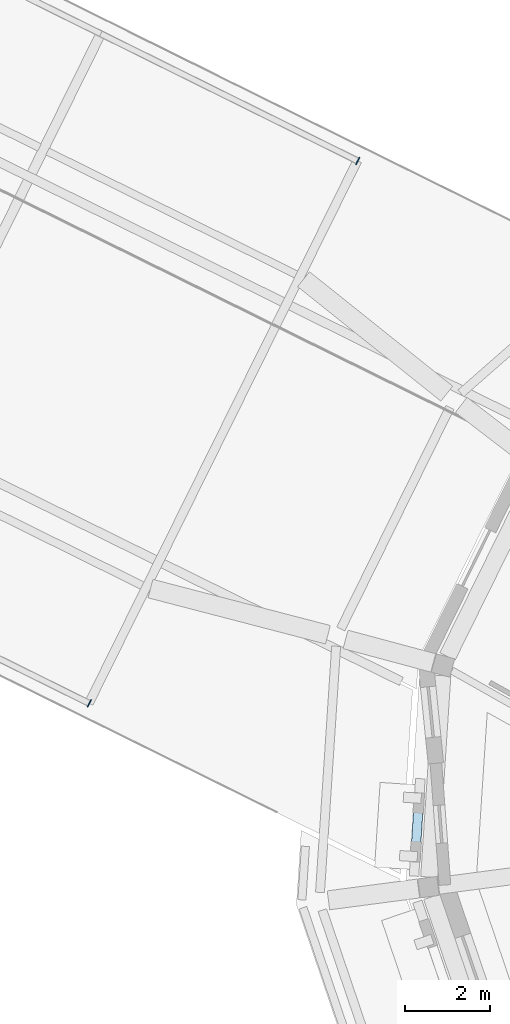
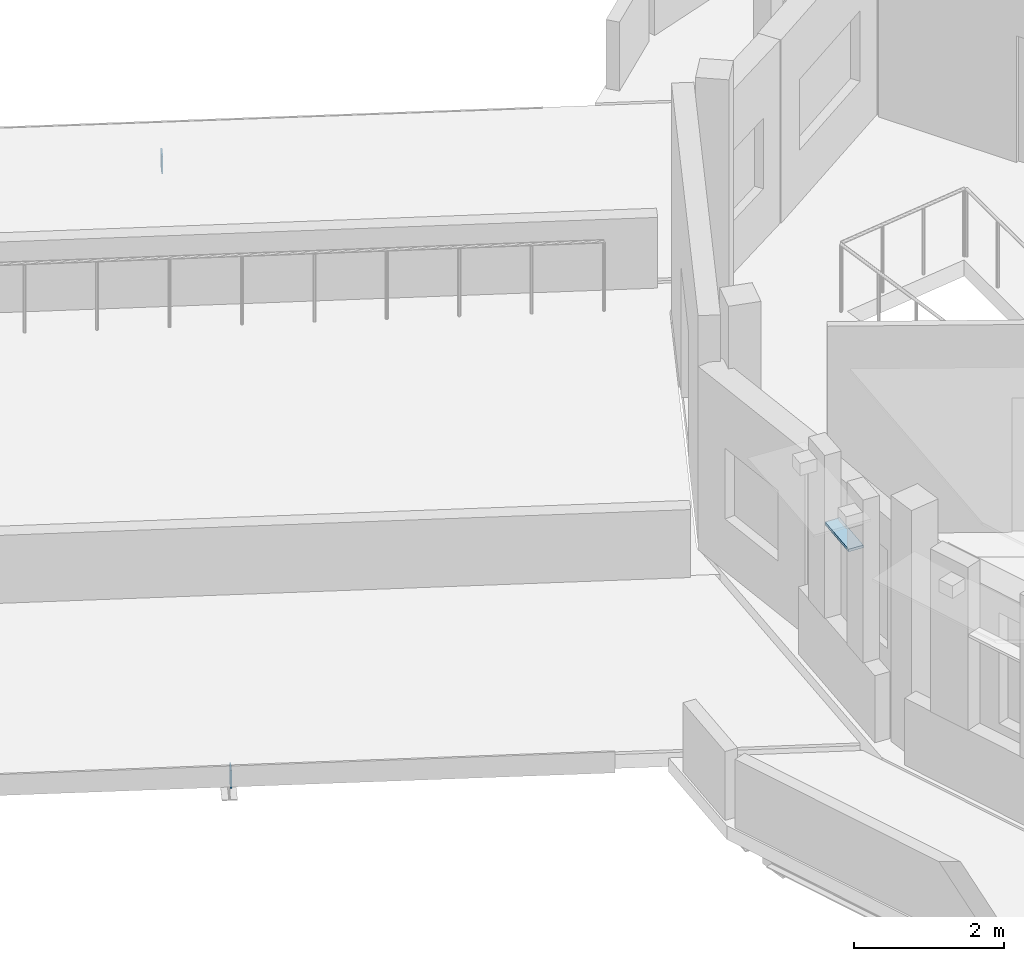
# One storey, part 32 of 51: 3 plates.
"""IFC4 building model written with IfcOpenShell, lengths in metres."""

from ifc_helpers import new_model, si_unit, direction, frame, origin, origin_2d, place, context, subcontext, project, spatial, rectangle, extrude, material, layer, layer_set, type_object, element, save


model = new_model("IFC4")

# Units and contexts
model_context = context("Model", 3, precision=1e-05, world=origin(), true_north=direction((0.0, 1.0)))
body_context = subcontext(model_context, "Body", "Model", "MODEL_VIEW")
ifc_project = project(units=[si_unit("LENGTHUNIT", "METRE"), si_unit("AREAUNIT", "SQUARE_METRE"), si_unit("VOLUMEUNIT", "CUBIC_METRE"), si_unit("PLANEANGLEUNIT", "RADIAN"), si_unit("MASSUNIT", "GRAM", prefix="KILO")], contexts=[model_context])

# Site, building, storey
site_placement = place(None, origin())
site = spatial("IfcSite", under=ifc_project, at=site_placement, CompositionType="ELEMENT")
building_placement = place(site_placement, origin())
building = spatial("IfcBuilding", under=site, at=building_placement, Name="Wrenclough Park School", CompositionType="ELEMENT")
storey_placement = place(building_placement, frame((0.0, 0.0, 16.800048828125)))
storey = spatial("IfcBuildingStorey", under=building, at=storey_placement, Name="L04", CompositionType="ELEMENT", Elevation=16.800048828125)

# Plates
ifc_material_1 = material(Name="Anodised architectural aluminium solar shading fin plate", Category="aluminium")
ifc_layer_1 = layer(ifc_material_1, 0.0380859375)
ifc_layer_set_1 = layer_set([ifc_layer_1], Name="Anodised architectural aluminium solar shading fin plate")
plate_type_1 = type_object("IfcPlateType", Name="ENV-PL-BSF", PredefinedType="SHEET", material=ifc_layer_set_1)
plate_placement = place(storey_placement, frame((160.8974609375, 93.156982421875, 2.60595703125), z_axis=(0.0, 0.0, 1.0), x_axis=(-0.065384375386, -0.997860152253, 0.0)))
element("IfcPlate", 1, at=plate_placement, inside=storey, type_object=plate_type_1, Name="D5 L04 open-bond brick screen tie band 0716", PredefinedType="SHEET", context=body_context, shape_type="SweptSolid", body=[
    extrude(rectangle(XDim=0.71826171875, YDim=0.219970703125, at=origin_2d()), origin(), (0.0, 0.0, 1.0), 0.0419921875),
])
ifc_material_2 = material(Name="Structural steel S355", Category="steel")
ifc_layer_2 = layer(ifc_material_2, 0.2900390625)
ifc_layer_set_2 = layer_set([ifc_layer_2], Name="Structural steel S355")
plate_type_2 = type_object("IfcPlateType", Name="STR-PL-EP250", PredefinedType="SHEET", material=ifc_layer_set_2)
for number, where, z_axis, x_axis, name in (
    (2, (159.493408203125, 108.9033203125, -0.5), (0.0, 0.0, 1.0), (0.896254315973, -0.443540529265, 0.0), "W45 eave fascia L4 end sealing end-cap plate"),
    (3, (153.1513671875, 96.0869140625, -0.5), (0.0, 0.0, 1.0), (0.896254315973, -0.443540529265, 0.0), "W45 eave fascia R4 end sealing end-cap plate"),
):
    element("IfcPlate", number, at=place(storey_placement, frame(where, z_axis=z_axis, x_axis=x_axis)), inside=storey, type_object=plate_type_2, Name=name, PredefinedType="SHEET", context=body_context, shape_type="SweptSolid", body=[
        extrude(rectangle(XDim=0.02197265625, YDim=0.18994140625, at=origin_2d()), origin(), (0.0, 0.0, 1.0), 0.2900390625),
    ])

save(model, "model.ifc")
